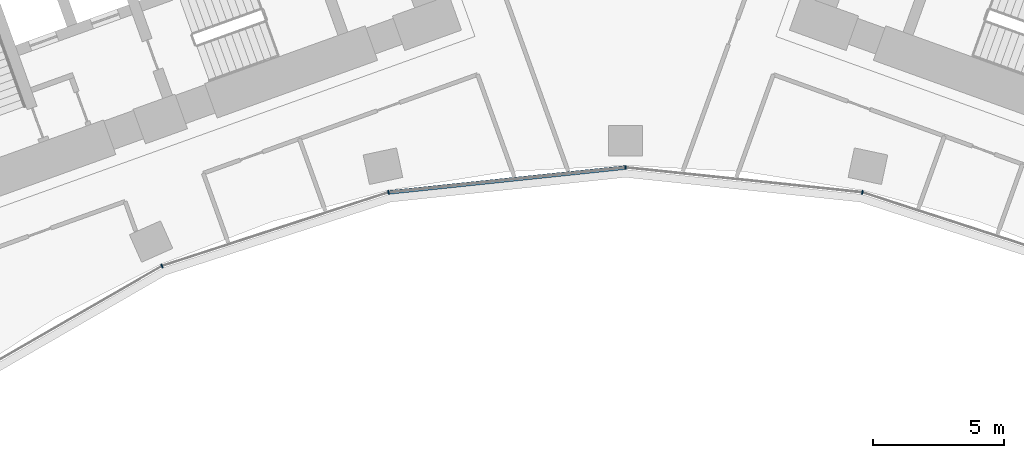
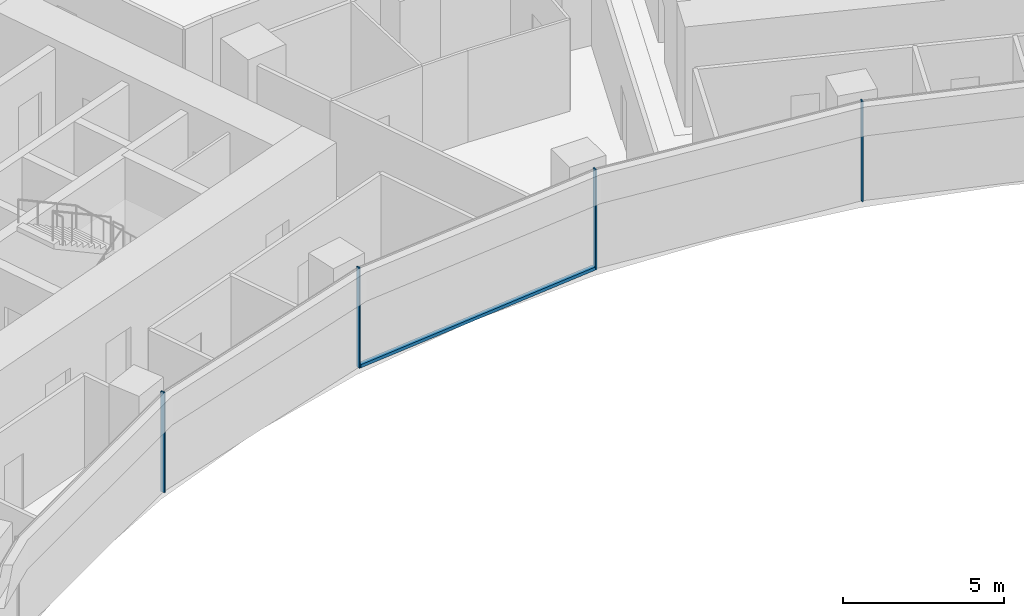
# One storey, part 3 of 19: 5 members, 1 element without a shape of its own.
"""IFC4 building model written with IfcOpenShell, lengths in metres."""

import ifcopenshell
import ifcopenshell.guid

model = None  # the IFC model being written
_history = None  # IfcOwnerHistory: only IFC2X3 demands one
_inside = {}  # id of a spatial element -> (the spatial element, [elements in it])
_under = {}  # id of a project, library or spatial element -> (it, [spatial elements below it])
_declared = {}  # id of a project -> (the project, [libraries it declares])
_typed = {}  # id of a type object -> (the type object, [elements of that type])
_made_of = {}  # id of a material, layer set ... -> (it, [elements and type objects made of it])


def new_model(schema):
    """Start an empty IFC model of exactly this schema.

    Asked for "IFC4X3", IfcOpenShell would pick the latest addendum, in which some entities
    have other attributes; the version numbers below select the first issue.
    IFC2X3 requires an IfcOwnerHistory on every rooted entity: one is made here for all.
    """
    global model, _history
    if schema == "IFC4X3":
        model = ifcopenshell.file(schema_version=(4, 3, 0, 0))
    else:
        model = ifcopenshell.file(schema=schema)
    _inside.clear()
    _under.clear()
    _declared.clear()
    _typed.clear()
    _made_of.clear()
    _history = None
    if model.schema == "IFC2X3":
        org = make("IfcOrganization", Name="unknown")
        user = make(
            "IfcPersonAndOrganization",
            ThePerson=make("IfcPerson", FamilyName="unknown"),
            TheOrganization=org,
        )
        app = make(
            "IfcApplication",
            ApplicationDeveloper=org,
            Version="unknown",
            ApplicationFullName="unknown",
            ApplicationIdentifier="unknown",
        )
        _history = make(
            "IfcOwnerHistory",
            OwningUser=user,
            OwningApplication=app,
            ChangeAction="ADDED",
            CreationDate=0,
        )
    return model


def make(cls, **values):
    """One entity of the class cls with the attributes given. An attribute that is None is left unset."""
    return model.create_entity(
        cls, **{name: value for name, value in values.items() if value is not None}
    )


def rooted(cls, **values):
    """An entity with a GlobalId (a new one), such as an element, a storey or a relation."""
    return make(cls, GlobalId=ifcopenshell.guid.new(), OwnerHistory=_history, **values)


def si_unit(unit_type, name, prefix=None):
    """IfcSIUnit, for example si_unit("LENGTHUNIT", "METRE", prefix="MILLI")."""
    return make("IfcSIUnit", UnitType=unit_type, Prefix=prefix, Name=name)


def assignment(units):
    """IfcUnitAssignment: the units of a project."""
    return None if units is None else make("IfcUnitAssignment", Units=units)


def point(xyz):
    """IfcCartesianPoint."""
    return None if xyz is None else make("IfcCartesianPoint", Coordinates=xyz)


def direction(xyz):
    """IfcDirection."""
    return None if xyz is None else make("IfcDirection", DirectionRatios=xyz)


def frame(location, z_axis=None, x_axis=None):
    """IfcAxis2Placement3D, a coordinate frame: its origin and axes. An axis left out is left unset."""
    return make(
        "IfcAxis2Placement3D",
        Location=point(location),
        Axis=direction(z_axis),
        RefDirection=direction(x_axis),
    )


def frame_2d(location, x_axis=None):
    """IfcAxis2Placement2D, a coordinate frame in the plane: its origin and x axis."""
    return make(
        "IfcAxis2Placement2D", Location=point(location), RefDirection=direction(x_axis)
    )


def origin():
    """The frame at (0, 0, 0) with its axes left unset."""
    return frame((0.0, 0.0, 0.0))


def origin_2d():
    """The frame at (0, 0) in the plane with its x axis left unset."""
    return frame_2d((0.0, 0.0))


def place(relative_to, where):
    """IfcLocalPlacement: puts the frame where relative to a parent placement (None: the world)."""
    return make(
        "IfcLocalPlacement", PlacementRelTo=relative_to, RelativePlacement=where
    )


def context(
    kind, dimensions, precision=None, world=None, true_north=None, identifier=None
):
    """IfcGeometricRepresentationContext, for example the 3D "Model" context."""
    return make(
        "IfcGeometricRepresentationContext",
        ContextIdentifier=identifier,
        ContextType=kind,
        CoordinateSpaceDimension=dimensions,
        Precision=precision,
        WorldCoordinateSystem=world,
        TrueNorth=true_north,
    )


def subcontext(parent, identifier, kind, view, scale=None):
    """IfcGeometricRepresentationSubContext, for example "Body" below "Model"."""
    return make(
        "IfcGeometricRepresentationSubContext",
        ContextIdentifier=identifier,
        ContextType=kind,
        ParentContext=parent,
        TargetScale=scale,
        TargetView=view,
    )


def project(units=None, contexts=None):
    """IfcProject with its units and contexts."""
    return rooted(
        "IfcProject",
        Name="project",
        RepresentationContexts=contexts,
        UnitsInContext=assignment(units),
    )


def spatial(cls, under=None, at=None, **own):
    """A site, building, storey or space (cls), placed at a placement, below another one or the project."""
    s = rooted(cls, ObjectPlacement=at, **own)
    if under is not None:
        _under.setdefault(under.id(), (under, []))[1].append(s)
    return s


def profile(cls, at=None, kind="AREA", **sizes):
    """A parametric profile (cls). Its sizes go by their IFC names, for example OverallWidth=200.0."""
    return make(cls, ProfileType=kind, Position=at, **sizes)


def rectangle(**sizes):
    """IfcRectangleProfileDef."""
    return profile("IfcRectangleProfileDef", **sizes)


def extrude(swept, where, along, depth):
    """IfcExtrudedAreaSolid: the profile swept, set in the frame where, extruded along a direction by depth."""
    return make(
        "IfcExtrudedAreaSolid",
        SweptArea=swept,
        Position=where,
        ExtrudedDirection=direction(along),
        Depth=depth,
    )


def shape(context_of_items, identifier, shape_type, items):
    """IfcShapeRepresentation: the items that make up one representation, for example the "Body"."""
    return make(
        "IfcShapeRepresentation",
        ContextOfItems=context_of_items,
        RepresentationIdentifier=identifier,
        RepresentationType=shape_type,
        Items=items,
    )


def material(Name=None, Category=None):
    """IfcMaterial."""
    return make("IfcMaterial", Name=Name, Category=Category)


def layer(
    of_material, thickness, ventilated=None, Name=None, Category=None, Priority=None
):
    """IfcMaterialLayer: one layer of a wall or slab, of a material (None: an air gap)."""
    return make(
        "IfcMaterialLayer",
        Material=of_material,
        LayerThickness=thickness,
        IsVentilated=ventilated,
        Name=Name,
        Category=Category,
        Priority=Priority,
    )


def layer_set(layers, Name=None):
    """IfcMaterialLayerSet."""
    return make("IfcMaterialLayerSet", MaterialLayers=layers, LayerSetName=Name)


def material_profile(
    of_material, cross_section, Name=None, Category=None, Priority=None
):
    """IfcMaterialProfile: a cross section and its material."""
    return make(
        "IfcMaterialProfile",
        Name=Name,
        Material=of_material,
        Profile=cross_section,
        Priority=Priority,
        Category=Category,
    )


def profile_set(profiles, Name=None, composite=None):
    """IfcMaterialProfileSet."""
    return make(
        "IfcMaterialProfileSet",
        Name=Name,
        MaterialProfiles=profiles,
        CompositeProfile=composite,
    )


def made_of(thing, what):
    """Note that an element or type object is made of a material, layer set ...; save() writes the relation."""
    if what is not None:
        _made_of.setdefault(what.id(), (what, []))[1].append(thing)
    return thing


def type_object(cls, material=None, **own):
    """A type object (cls), such as IfcWallType, which elements share."""
    return made_of(rooted(cls, **own), material)


def element(
    cls,
    number,
    at=None,
    inside=None,
    cuts=None,
    type_object=None,
    material=None,
    context=None,
    identifier="Body",
    shape_type=None,
    held_by="IfcProductDefinitionShape",
    body=None,
    shapes=None,
    **own,
):
    """One element of the class cls, such as IfcWall. Its Tag is "e" and its number.

    at: its placement. inside: the storey or other place that contains it. cuts: it is an
    opening in that element (IfcRelVoidsElement). A single representation is given by context,
    identifier, shape_type and body (its items); several are given by shapes. held_by: the class
    of the entity that holds the representations. save() writes the other relations.
    """
    e = rooted(cls, Tag="e%d" % number, ObjectPlacement=at, **own)
    if body is not None:
        shapes = [shape(context, identifier, shape_type, body)]
    if shapes is not None:
        e.Representation = make(held_by, Representations=shapes)
    if inside is not None:
        _inside.setdefault(inside.id(), (inside, []))[1].append(e)
    if cuts is not None:
        rooted(
            "IfcRelVoidsElement", RelatingBuildingElement=cuts, RelatedOpeningElement=e
        )
    if type_object is not None:
        _typed.setdefault(type_object.id(), (type_object, []))[1].append(e)
    return made_of(e, material)


def aggregate(whole, parts):
    """IfcRelAggregates: a whole, such as a stair, and the parts it consists of."""
    return rooted("IfcRelAggregates", RelatingObject=whole, RelatedObjects=parts)


def save(model, path):
    """Write the relations noted so far, then the file.

    IfcRelAggregates (storeys below a building ...), IfcRelContainedInSpatialStructure (elements
    in a storey), IfcRelDefinesByType, IfcRelAssociatesMaterial and IfcRelDeclares: one each for
    every whole, place, type object, material and project.
    """
    for whole, parts in _under.values():
        aggregate(whole, parts)
    for where, things in _inside.values():
        rooted(
            "IfcRelContainedInSpatialStructure",
            RelatedElements=things,
            RelatingStructure=where,
        )
    for kind, things in _typed.values():
        rooted("IfcRelDefinesByType", RelatedObjects=things, RelatingType=kind)
    for what, things in _made_of.values():
        rooted("IfcRelAssociatesMaterial", RelatedObjects=things, RelatingMaterial=what)
    for by, libraries in _declared.values():
        rooted("IfcRelDeclares", RelatingContext=by, RelatedDefinitions=libraries)
    model.write(path)


model = new_model("IFC4")

# Units and contexts
model_context = context("Model", 3, precision=1e-05, world=origin(), true_north=direction((0.0, 1.0)))
body_context = subcontext(model_context, "Body", "Model", "MODEL_VIEW")
ifc_project = project(units=[si_unit("LENGTHUNIT", "METRE"), si_unit("AREAUNIT", "SQUARE_METRE"), si_unit("VOLUMEUNIT", "CUBIC_METRE"), si_unit("PLANEANGLEUNIT", "RADIAN"), si_unit("MASSUNIT", "GRAM", prefix="KILO")], contexts=[model_context])

# Site, building, storey
site_placement = place(None, origin())
site = spatial("IfcSite", under=ifc_project, at=site_placement, CompositionType="ELEMENT")
building_placement = place(site_placement, origin())
building = spatial("IfcBuilding", under=site, at=building_placement, Name="Stone Belt Terrace Tower", CompositionType="ELEMENT")
storey_placement = place(building_placement, frame((0.0, 0.0, 128.800048828125)))
storey = spatial("IfcBuildingStorey", under=building, at=storey_placement, Name="L31", CompositionType="ELEMENT", Elevation=128.800048828125)

# Curtain wall, members
ifc_material = material(Name="Aluminium 6063-T6 anodised frame", Category="aluminium")
ifc_layer = layer(ifc_material, 0.14990234375)
ifc_layer_set = layer_set([ifc_layer], Name="CW-B unitised concave-face curtain wall")
curtain_wall_type = type_object("IfcCurtainWallType", Name="CW-B unitised concave-face curtain wall", PredefinedType="NOTDEFINED", material=ifc_layer_set)
curtain_wall_placement = place(storey_placement, origin())
curtain_wall = element("IfcCurtainWall", 1, at=curtain_wall_placement, inside=storey, type_object=curtain_wall_type, Name="CW-B concave face L31", PredefinedType="NOTDEFINED")
ifc_material_profile_1 = material_profile(ifc_material, rectangle(XDim=0.14990234375, YDim=0.050048828125, at=origin_2d()), Name="Aluminium 6063-T6 50x150")
ifc_profile_set_1 = profile_set([ifc_material_profile_1], Name="Aluminium 6063-T6 anodised frame")
member_type_1 = type_object("IfcMemberType", Name="CW-B mullion 50 x 150", PredefinedType="MULLION", material=ifc_profile_set_1)
member_1_placement = place(storey_placement, frame((-17.662353515625, 39.67041015625, 0.0), z_axis=(0.0, 0.0, 1.0), x_axis=(-0.406736643076, 0.913545457643, 0.0)))
member_1 = element("IfcMember", 2, at=member_1_placement, type_object=member_type_1, Name="CW-B mullion 3", PredefinedType="MULLION", context=body_context, shape_type="SweptSolid", body=[
    extrude(rectangle(XDim=0.14990234375, YDim=0.050048828125, at=origin_2d()), origin(), (0.0, 0.0, 1.0), 3.800048828125),
])
member_2_placement = place(storey_placement, frame((-9.028564453125, 42.4755859375, 0.0), z_axis=(0.0, 0.0, 1.0), x_axis=(-0.207911690818, 0.978147600734, 0.0)))
member_2 = element("IfcMember", 3, at=member_2_placement, type_object=member_type_1, Name="CW-B mullion 4", PredefinedType="MULLION", context=body_context, shape_type="SweptSolid", body=[
    extrude(rectangle(XDim=0.14990234375, YDim=0.050048828125, at=origin_2d()), origin(), (0.0, 0.0, 1.0), 3.800048828125),
])
member_3_placement = place(storey_placement, frame((0.0, 43.424560546875, 0.0), z_axis=(0.0, 0.0, 1.0), x_axis=(0.0, 1.0, 0.0)))
member_3 = element("IfcMember", 4, at=member_3_placement, type_object=member_type_1, Name="CW-B mullion 5", PredefinedType="MULLION", context=body_context, shape_type="SweptSolid", body=[
    extrude(rectangle(XDim=0.14990234375, YDim=0.050048828125, at=origin_2d()), origin(), (0.0, 0.0, 1.0), 3.800048828125),
])
member_4_placement = place(storey_placement, frame((9.028564453125, 42.4755859375, 0.0), z_axis=(0.0, 0.0, 1.0), x_axis=(0.207911690818, 0.978147600734, 0.0)))
member_4 = element("IfcMember", 5, at=member_4_placement, type_object=member_type_1, Name="CW-B mullion 6", PredefinedType="MULLION", context=body_context, shape_type="SweptSolid", body=[
    extrude(rectangle(XDim=0.14990234375, YDim=0.050048828125, at=origin_2d()), origin(), (0.0, 0.0, 1.0), 3.800048828125),
])
ifc_material_profile_2 = material_profile(ifc_material, rectangle(XDim=0.14990234375, YDim=0.1201171875, at=origin_2d()), Name="Aluminium 6063-T6 150x120")
ifc_profile_set_2 = profile_set([ifc_material_profile_2], Name="Aluminium 6063-T6 anodised frame")
member_type_2 = type_object("IfcMemberType", Name="CW-B transom 120 x 150", PredefinedType="USERDEFINED", material=ifc_profile_set_2)
member_5_placement = place(storey_placement, frame((-8.995849609375, 42.47900390625, 0.06005859375), z_axis=(0.994521323407, 0.104533904969, 0.0), x_axis=(-0.104533904969, 0.994521323407, 0.0)))
member_5 = element("IfcMember", 6, at=member_5_placement, type_object=member_type_2, Name="CW-B transom 4.1", ObjectType="TRANSOM", PredefinedType="USERDEFINED", context=body_context, shape_type="SweptSolid", body=[
    extrude(rectangle(XDim=0.14990234375, YDim=0.1201171875, at=origin_2d()), origin(), (0.0, 0.0, 1.0), 9.0126953125),
])
aggregate(curtain_wall, [member_1, member_2, member_3, member_4, member_5])

save(model, "model.ifc")
